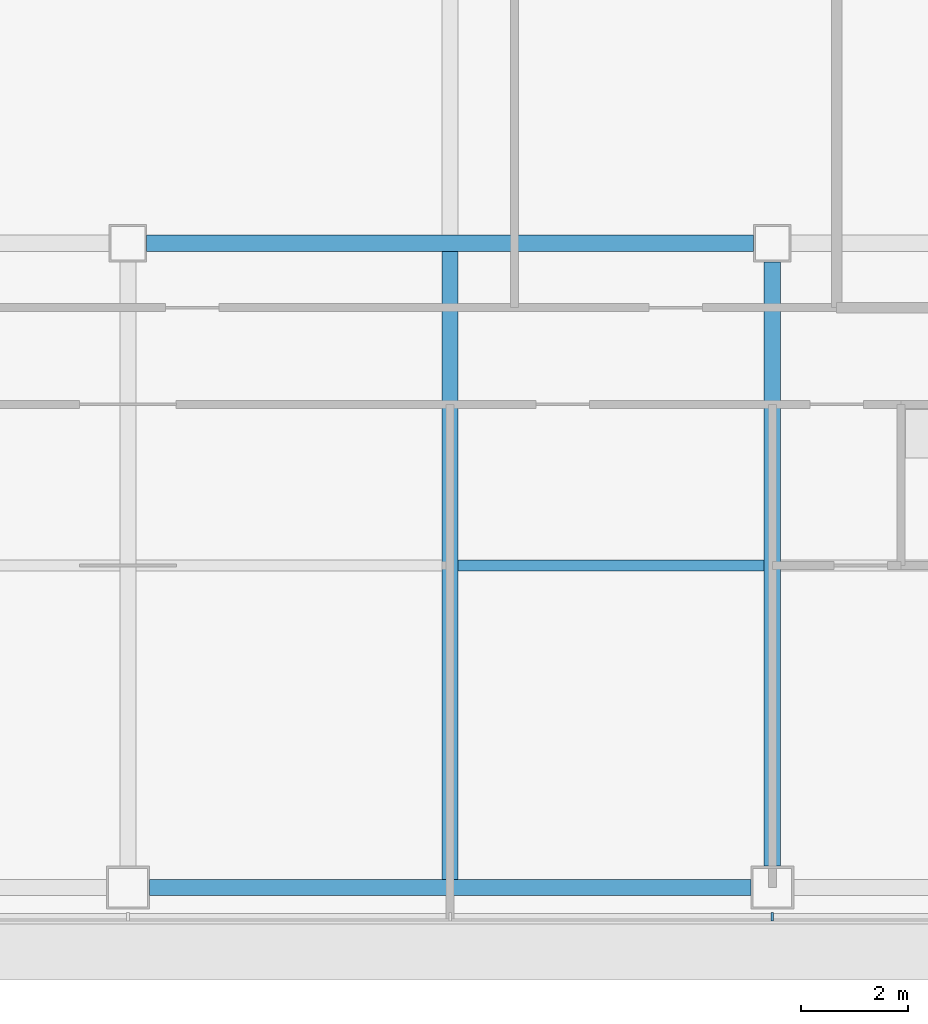
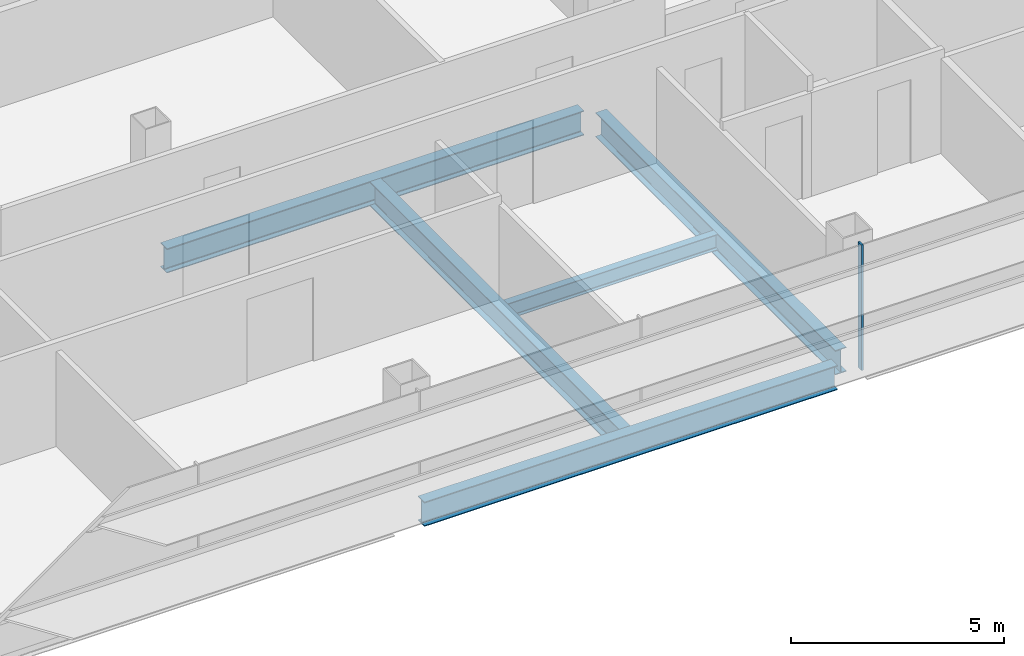
# One storey, part 3 of 25: 5 beams, 1 member, 1 element without a shape of its own.
"""IFC4 building model written with IfcOpenShell, lengths in metres."""

from ifc_helpers import new_model, si_unit, direction, frame, origin, origin_2d, place, context, subcontext, project, spatial, rectangle, i_section, extrude, material, material_profile, profile_set, type_object, element, aggregate, save


model = new_model("IFC4")

# Units and contexts
model_context = context("Model", 3, precision=1e-05, world=origin(), true_north=direction((0.0, 1.0)))
body_context = subcontext(model_context, "Body", "Model", "MODEL_VIEW")
ifc_project = project(units=[si_unit("LENGTHUNIT", "METRE"), si_unit("AREAUNIT", "SQUARE_METRE"), si_unit("VOLUMEUNIT", "CUBIC_METRE"), si_unit("PLANEANGLEUNIT", "RADIAN"), si_unit("MASSUNIT", "GRAM", prefix="KILO")], contexts=[model_context])

# Site, building, storey
site_placement = place(None, origin())
site = spatial("IfcSite", under=ifc_project, at=site_placement, CompositionType="ELEMENT")
building_placement = place(site_placement, origin())
building = spatial("IfcBuilding", under=site, at=building_placement, Name="Sorahane Residences", CompositionType="ELEMENT")
storey_placement = place(building_placement, frame((0.0, 0.0, 130.39990234375)))
storey = spatial("IfcBuildingStorey", under=building, at=storey_placement, Name="L29", CompositionType="ELEMENT", Elevation=130.39990234375)

# Curtain wall, member
ifc_material_1 = material(Name="Dark low-e glass and black anodised aluminium", Category="aluminium")
curtain_wall_type = type_object("IfcCurtainWallType", Name="Curtain wall CW-1 Typical unitised wall", PredefinedType="NOTDEFINED", material=ifc_material_1)
curtain_wall_placement = place(storey_placement, origin())
curtain_wall = element("IfcCurtainWall", 1, at=curtain_wall_placement, inside=storey, type_object=curtain_wall_type, Name="CW-1 curtain wall L29 S1", PredefinedType="NOTDEFINED")
ifc_material_2 = material(Name="Black anodised aluminium", Category="aluminium")
ifc_material_profile_1 = material_profile(ifc_material_2, rectangle(XDim=0.159912109375, YDim=0.050048828125, at=origin_2d()), Name="Curtain wall mullion CW-1 black anodised aluminium 50x160")
ifc_profile_set_1 = profile_set([ifc_material_profile_1], Name="Black anodised aluminium")
member_type = type_object("IfcMemberType", Name="Curtain wall mullion CW-1 black anodised aluminium 50x160", PredefinedType="MULLION", material=ifc_profile_set_1)
member_placement = place(storey_placement, frame((24.0, -0.5400390625, -0.179931640625), z_axis=(0.0, 0.0, 1.0), x_axis=(0.0, -1.0, 0.0)))
member = element("IfcMember", 2, at=member_placement, type_object=member_type, Name="CW-1 mullion L29 S1.5", PredefinedType="MULLION", context=body_context, shape_type="SweptSolid", body=[
    extrude(rectangle(XDim=0.159912109375, YDim=0.050048828125, at=origin_2d()), origin(), (0.0, 0.0, 1.0), 3.60009765625),
])
aggregate(curtain_wall, [member])

# Beams
ifc_material_3 = material(Name="Steel Q355B", Category="steel")
ifc_material_profile_2 = material_profile(ifc_material_3, i_section(OverallWidth=0.199951171875, OverallDepth=0.449951171875, WebThickness=0.009033203125, FlangeThickness=0.013916015625, FilletRadius=0.02001953125, at=origin_2d()), Name="HN 450x200x9x14")
ifc_profile_set_2 = profile_set([ifc_material_profile_2], Name="Steel Q355B")
beam_type_1 = type_object("IfcBeamType", Name="Steel floor beam HN 450x200x9x14 Q355B", PredefinedType="BEAM", material=ifc_profile_set_2)
beam_1_placement = place(storey_placement, frame((18.14990234375, 6.0, -0.40478515625), z_axis=(1.0, 0.0, 0.0), x_axis=(0.0, 1.0, 0.0)))
element("IfcBeam", 3, at=beam_1_placement, inside=storey, type_object=beam_type_1, Name="Beam L29 072", PredefinedType="BEAM", context=body_context, shape_type="SweptSolid", body=[
    extrude(i_section(OverallWidth=0.199951171875, OverallDepth=0.449951171875, WebThickness=0.009033203125, FlangeThickness=0.013916015625, FilletRadius=0.02001953125, at=origin_2d()), origin(), (0.0, 0.0, 1.0), 5.7001953125),
])
ifc_material_4 = material(Name="Steel Q355B", Category="steel")
ifc_material_profile_3 = material_profile(ifc_material_4, i_section(OverallWidth=0.300048828125, OverallDepth=0.699951171875, WebThickness=0.012939453125, FlangeThickness=0.02392578125, FilletRadius=0.028076171875, at=origin_2d()), Name="HN 700x300x13x24")
ifc_profile_set_3 = profile_set([ifc_material_profile_3], Name="Steel Q355B")
beam_type_2 = type_object("IfcBeamType", Name="Steel floor beam HN 700x300x13x24 Q355B", PredefinedType="BEAM", material=ifc_profile_set_3)
beam_2_placement = place(storey_placement, frame((12.39990234375, 0.0, -0.52978515625), z_axis=(1.0, 0.0, 0.0), x_axis=(0.0, 1.0, 0.0)))
element("IfcBeam", 4, at=beam_2_placement, inside=storey, type_object=beam_type_2, Name="Beam L29 001", PredefinedType="BEAM", context=body_context, shape_type="SweptSolid", body=[
    extrude(i_section(OverallWidth=0.300048828125, OverallDepth=0.699951171875, WebThickness=0.012939453125, FlangeThickness=0.02392578125, FilletRadius=0.028076171875, at=origin_2d()), origin(), (0.0, 0.0, 1.0), 11.2001953125),
])
beam_3_placement = place(storey_placement, frame((12.35009765625, 12.0, -0.52978515625), z_axis=(1.0, 0.0, 0.0), x_axis=(0.0, 1.0, 0.0)))
element("IfcBeam", 5, at=beam_3_placement, inside=storey, type_object=beam_type_2, Name="Beam L29 007", PredefinedType="BEAM", context=body_context, shape_type="SweptSolid", body=[
    extrude(i_section(OverallWidth=0.300048828125, OverallDepth=0.699951171875, WebThickness=0.012939453125, FlangeThickness=0.02392578125, FilletRadius=0.028076171875, at=origin_2d()), origin(), (0.0, 0.0, 1.0), 11.2998046875),
])
beam_4_placement = place(storey_placement, frame((18.0, 0.14990234375, -0.52978515625), z_axis=(0.0, 1.0, 0.0), x_axis=(-1.0, 0.0, 0.0)))
element("IfcBeam", 6, at=beam_4_placement, inside=storey, type_object=beam_type_2, Name="Beam L29 036", PredefinedType="BEAM", context=body_context, shape_type="SweptSolid", body=[
    extrude(i_section(OverallWidth=0.300048828125, OverallDepth=0.699951171875, WebThickness=0.012939453125, FlangeThickness=0.02392578125, FilletRadius=0.028076171875, at=origin_2d()), origin(), (0.0, 0.0, 1.0), 11.7001953125),
])
beam_5_placement = place(storey_placement, frame((24.0, 0.39990234375, -0.52978515625), z_axis=(0.0, 1.0, 0.0), x_axis=(-1.0, 0.0, 0.0)))
element("IfcBeam", 7, at=beam_5_placement, inside=storey, type_object=beam_type_2, Name="Beam L29 042", PredefinedType="BEAM", context=body_context, shape_type="SweptSolid", body=[
    extrude(i_section(OverallWidth=0.300048828125, OverallDepth=0.699951171875, WebThickness=0.012939453125, FlangeThickness=0.02392578125, FilletRadius=0.028076171875, at=origin_2d()), origin(), (0.0, 0.0, 1.0), 11.25),
])

save(model, "model.ifc")
